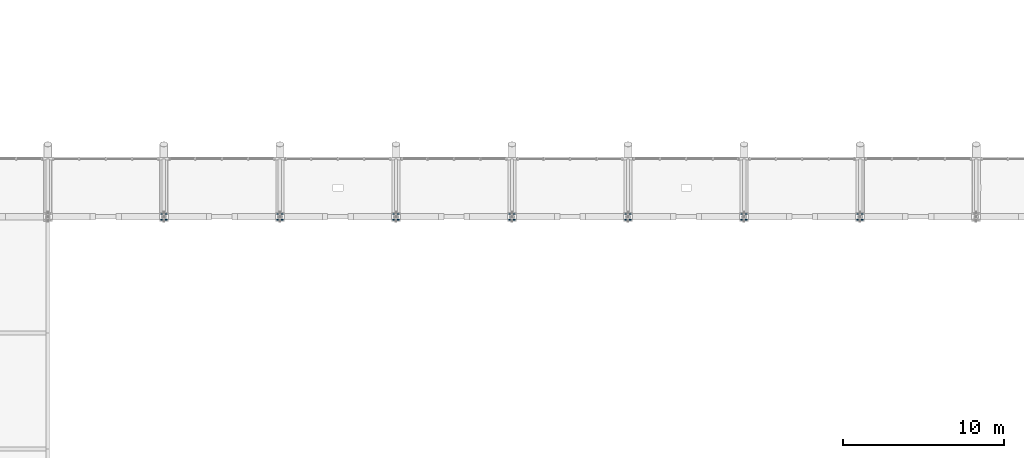
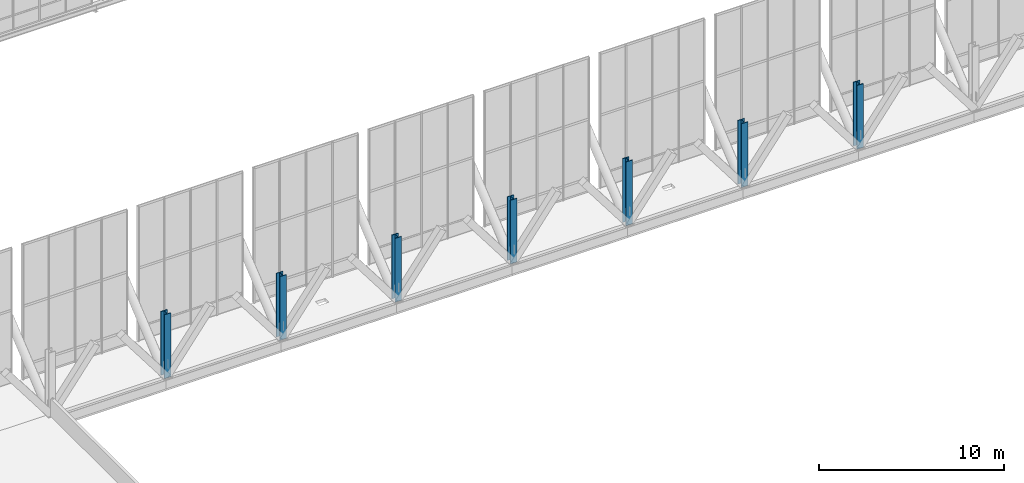
# One storey, part 2 of 102: 7 columns.
"""IFC4 building model written with IfcOpenShell, lengths in metres."""

from ifc_helpers import new_model, si_unit, direction, frame, origin, origin_2d, place, context, subcontext, project, spatial, i_section, extrude, material, material_profile, profile_set, type_object, element, save


model = new_model("IFC4")

# Units and contexts
model_context = context("Model", 3, precision=1e-05, world=origin(), true_north=direction((0.0, 1.0)))
body_context = subcontext(model_context, "Body", "Model", "MODEL_VIEW")
ifc_project = project(units=[si_unit("LENGTHUNIT", "METRE"), si_unit("AREAUNIT", "SQUARE_METRE"), si_unit("VOLUMEUNIT", "CUBIC_METRE"), si_unit("PLANEANGLEUNIT", "RADIAN"), si_unit("MASSUNIT", "GRAM", prefix="KILO")], contexts=[model_context])

# Site, building, storey
site_placement = place(None, origin())
site = spatial("IfcSite", under=ifc_project, at=site_placement, CompositionType="ELEMENT")
building_placement = place(site_placement, origin())
building = spatial("IfcBuilding", under=site, at=building_placement, Name="Yarey Park Central Fire Station", CompositionType="ELEMENT")
storey_placement = place(building_placement, frame((0.0, 0.0, 6.0)))
storey = spatial("IfcBuildingStorey", under=building, at=storey_placement, Name="L02", CompositionType="ELEMENT", Elevation=6.0)

# Columns
ifc_material = material(Name="Steel ASTM A992 Gr. 50", Category="steel")
ifc_material_profile = material_profile(ifc_material, i_section(OverallWidth=0.404052734375, OverallDepth=0.406982421875, WebThickness=0.027099609375, FlangeThickness=0.043701171875, at=origin_2d()), Name="W360x347")
ifc_profile_set = profile_set([ifc_material_profile], Name="Steel ASTM A992 Gr. 50")
column_type = type_object("IfcColumnType", Name="STR_COL_W360_EXT", PredefinedType="COLUMN", material=ifc_profile_set)
for number, where, z_axis, x_axis, name in (
    (1, (79.199951171875, 57.60009765625, 0.0), (0.0, 0.0, 1.0), (1.0, 0.0, 0.0), "V2_SCR_POST_S_L02_79"),
    (2, (86.39990234375, 57.60009765625, 0.0), (0.0, 0.0, 1.0), (1.0, 0.0, 0.0), "V2_SCR_POST_S_L02_86"),
    (3, (93.60009765625, 57.60009765625, 0.0), (0.0, 0.0, 1.0), (1.0, 0.0, 0.0), "V2_SCR_POST_S_L02_93"),
    (4, (100.800048828125, 57.60009765625, 0.0), (0.0, 0.0, 1.0), (1.0, 0.0, 0.0), "V2_SCR_POST_S_L02_100"),
    (5, (108.0, 57.60009765625, 0.0), (0.0, 0.0, 1.0), (1.0, 0.0, 0.0), "V2_SCR_POST_S_L02_108"),
    (6, (115.199951171875, 57.60009765625, 0.0), (0.0, 0.0, 1.0), (1.0, 0.0, 0.0), "V2_SCR_POST_S_L02_115"),
    (7, (122.39990234375, 57.60009765625, 0.0), (0.0, 0.0, 1.0), (1.0, 0.0, 0.0), "V2_SCR_POST_S_L02_122"),
):
    element("IfcColumn", number, at=place(storey_placement, frame(where, z_axis=z_axis, x_axis=x_axis)), inside=storey, type_object=column_type, Name=name, PredefinedType="COLUMN", context=body_context, shape_type="SweptSolid", body=[
        extrude(i_section(OverallWidth=0.404052734375, OverallDepth=0.406982421875, WebThickness=0.027099609375, FlangeThickness=0.043701171875, at=origin_2d()), origin(), (0.0, 0.0, 1.0), 4.199951171875),
    ])

save(model, "model.ifc")
